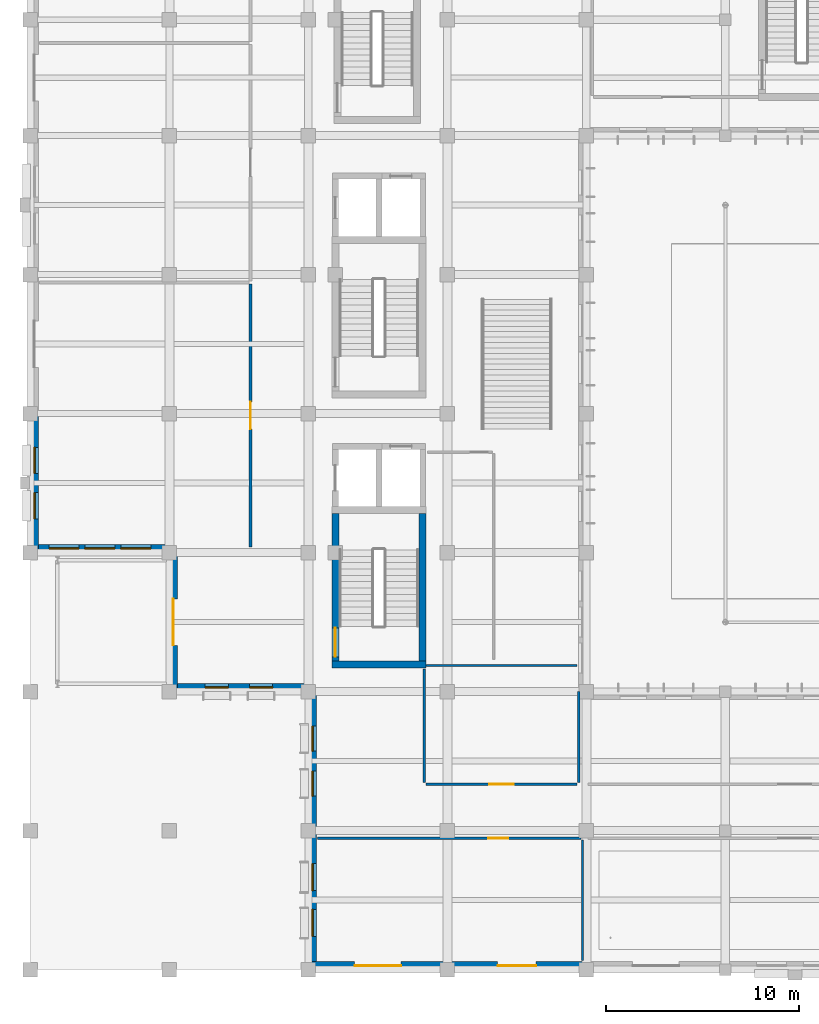
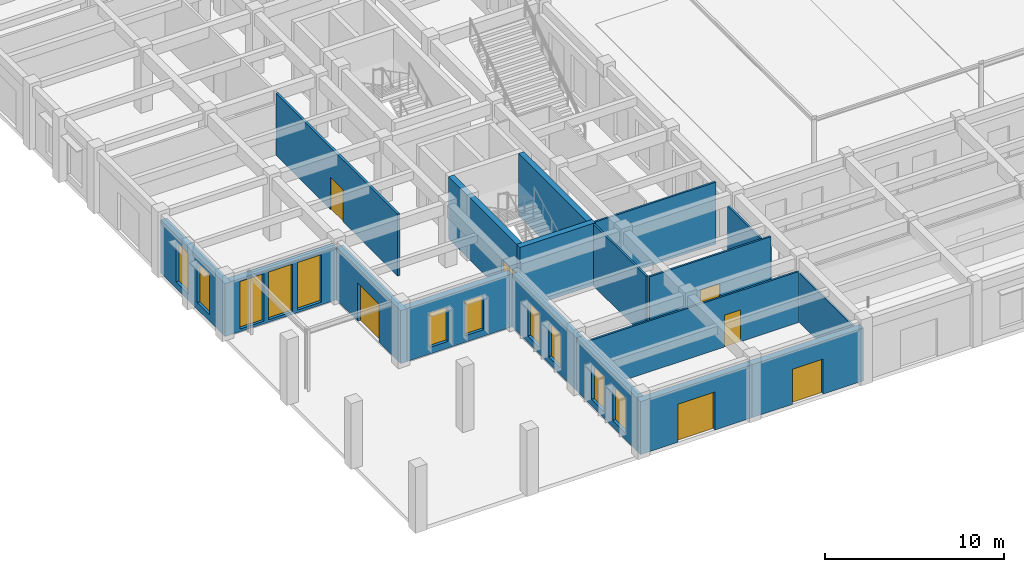
# One storey, part 21 of 43: 18 walls, 11 windows, 7 doors, 18 openings.
"""IFC4 building model written with IfcOpenShell, lengths in metres."""

import ifcopenshell
import ifcopenshell.guid

model = None  # the IFC model being written
_history = None  # IfcOwnerHistory: only IFC2X3 demands one
_inside = {}  # id of a spatial element -> (the spatial element, [elements in it])
_under = {}  # id of a project, library or spatial element -> (it, [spatial elements below it])
_declared = {}  # id of a project -> (the project, [libraries it declares])
_typed = {}  # id of a type object -> (the type object, [elements of that type])
_made_of = {}  # id of a material, layer set ... -> (it, [elements and type objects made of it])


def new_model(schema):
    """Start an empty IFC model of exactly this schema.

    Asked for "IFC4X3", IfcOpenShell would pick the latest addendum, in which some entities
    have other attributes; the version numbers below select the first issue.
    IFC2X3 requires an IfcOwnerHistory on every rooted entity: one is made here for all.
    """
    global model, _history
    if schema == "IFC4X3":
        model = ifcopenshell.file(schema_version=(4, 3, 0, 0))
    else:
        model = ifcopenshell.file(schema=schema)
    _inside.clear()
    _under.clear()
    _declared.clear()
    _typed.clear()
    _made_of.clear()
    _history = None
    if model.schema == "IFC2X3":
        org = make("IfcOrganization", Name="unknown")
        user = make(
            "IfcPersonAndOrganization",
            ThePerson=make("IfcPerson", FamilyName="unknown"),
            TheOrganization=org,
        )
        app = make(
            "IfcApplication",
            ApplicationDeveloper=org,
            Version="unknown",
            ApplicationFullName="unknown",
            ApplicationIdentifier="unknown",
        )
        _history = make(
            "IfcOwnerHistory",
            OwningUser=user,
            OwningApplication=app,
            ChangeAction="ADDED",
            CreationDate=0,
        )
    return model


def make(cls, **values):
    """One entity of the class cls with the attributes given. An attribute that is None is left unset."""
    return model.create_entity(
        cls, **{name: value for name, value in values.items() if value is not None}
    )


def rooted(cls, **values):
    """An entity with a GlobalId (a new one), such as an element, a storey or a relation."""
    return make(cls, GlobalId=ifcopenshell.guid.new(), OwnerHistory=_history, **values)


def si_unit(unit_type, name, prefix=None):
    """IfcSIUnit, for example si_unit("LENGTHUNIT", "METRE", prefix="MILLI")."""
    return make("IfcSIUnit", UnitType=unit_type, Prefix=prefix, Name=name)


def assignment(units):
    """IfcUnitAssignment: the units of a project."""
    return None if units is None else make("IfcUnitAssignment", Units=units)


def point(xyz):
    """IfcCartesianPoint."""
    return None if xyz is None else make("IfcCartesianPoint", Coordinates=xyz)


def direction(xyz):
    """IfcDirection."""
    return None if xyz is None else make("IfcDirection", DirectionRatios=xyz)


def frame(location, z_axis=None, x_axis=None):
    """IfcAxis2Placement3D, a coordinate frame: its origin and axes. An axis left out is left unset."""
    return make(
        "IfcAxis2Placement3D",
        Location=point(location),
        Axis=direction(z_axis),
        RefDirection=direction(x_axis),
    )


def frame_2d(location, x_axis=None):
    """IfcAxis2Placement2D, a coordinate frame in the plane: its origin and x axis."""
    return make(
        "IfcAxis2Placement2D", Location=point(location), RefDirection=direction(x_axis)
    )


def origin():
    """The frame at (0, 0, 0) with its axes left unset."""
    return frame((0.0, 0.0, 0.0))


def place(relative_to, where):
    """IfcLocalPlacement: puts the frame where relative to a parent placement (None: the world)."""
    return make(
        "IfcLocalPlacement", PlacementRelTo=relative_to, RelativePlacement=where
    )


def context(
    kind, dimensions, precision=None, world=None, true_north=None, identifier=None
):
    """IfcGeometricRepresentationContext, for example the 3D "Model" context."""
    return make(
        "IfcGeometricRepresentationContext",
        ContextIdentifier=identifier,
        ContextType=kind,
        CoordinateSpaceDimension=dimensions,
        Precision=precision,
        WorldCoordinateSystem=world,
        TrueNorth=true_north,
    )


def subcontext(parent, identifier, kind, view, scale=None):
    """IfcGeometricRepresentationSubContext, for example "Body" below "Model"."""
    return make(
        "IfcGeometricRepresentationSubContext",
        ContextIdentifier=identifier,
        ContextType=kind,
        ParentContext=parent,
        TargetScale=scale,
        TargetView=view,
    )


def project(units=None, contexts=None):
    """IfcProject with its units and contexts."""
    return rooted(
        "IfcProject",
        Name="project",
        RepresentationContexts=contexts,
        UnitsInContext=assignment(units),
    )


def spatial(cls, under=None, at=None, **own):
    """A site, building, storey or space (cls), placed at a placement, below another one or the project."""
    s = rooted(cls, ObjectPlacement=at, **own)
    if under is not None:
        _under.setdefault(under.id(), (under, []))[1].append(s)
    return s


def profile(cls, at=None, kind="AREA", **sizes):
    """A parametric profile (cls). Its sizes go by their IFC names, for example OverallWidth=200.0."""
    return make(cls, ProfileType=kind, Position=at, **sizes)


def rectangle(**sizes):
    """IfcRectangleProfileDef."""
    return profile("IfcRectangleProfileDef", **sizes)


def extrude(swept, where, along, depth):
    """IfcExtrudedAreaSolid: the profile swept, set in the frame where, extruded along a direction by depth."""
    return make(
        "IfcExtrudedAreaSolid",
        SweptArea=swept,
        Position=where,
        ExtrudedDirection=direction(along),
        Depth=depth,
    )


def shape(context_of_items, identifier, shape_type, items):
    """IfcShapeRepresentation: the items that make up one representation, for example the "Body"."""
    return make(
        "IfcShapeRepresentation",
        ContextOfItems=context_of_items,
        RepresentationIdentifier=identifier,
        RepresentationType=shape_type,
        Items=items,
    )


def material(Name=None, Category=None):
    """IfcMaterial."""
    return make("IfcMaterial", Name=Name, Category=Category)


def layer(
    of_material, thickness, ventilated=None, Name=None, Category=None, Priority=None
):
    """IfcMaterialLayer: one layer of a wall or slab, of a material (None: an air gap)."""
    return make(
        "IfcMaterialLayer",
        Material=of_material,
        LayerThickness=thickness,
        IsVentilated=ventilated,
        Name=Name,
        Category=Category,
        Priority=Priority,
    )


def layer_set(layers, Name=None):
    """IfcMaterialLayerSet."""
    return make("IfcMaterialLayerSet", MaterialLayers=layers, LayerSetName=Name)


def made_of(thing, what):
    """Note that an element or type object is made of a material, layer set ...; save() writes the relation."""
    if what is not None:
        _made_of.setdefault(what.id(), (what, []))[1].append(thing)
    return thing


def type_object(cls, material=None, **own):
    """A type object (cls), such as IfcWallType, which elements share."""
    return made_of(rooted(cls, **own), material)


def element(
    cls,
    number,
    at=None,
    inside=None,
    cuts=None,
    type_object=None,
    material=None,
    context=None,
    identifier="Body",
    shape_type=None,
    held_by="IfcProductDefinitionShape",
    body=None,
    shapes=None,
    **own,
):
    """One element of the class cls, such as IfcWall. Its Tag is "e" and its number.

    at: its placement. inside: the storey or other place that contains it. cuts: it is an
    opening in that element (IfcRelVoidsElement). A single representation is given by context,
    identifier, shape_type and body (its items); several are given by shapes. held_by: the class
    of the entity that holds the representations. save() writes the other relations.
    """
    e = rooted(cls, Tag="e%d" % number, ObjectPlacement=at, **own)
    if body is not None:
        shapes = [shape(context, identifier, shape_type, body)]
    if shapes is not None:
        e.Representation = make(held_by, Representations=shapes)
    if inside is not None:
        _inside.setdefault(inside.id(), (inside, []))[1].append(e)
    if cuts is not None:
        rooted(
            "IfcRelVoidsElement", RelatingBuildingElement=cuts, RelatedOpeningElement=e
        )
    if type_object is not None:
        _typed.setdefault(type_object.id(), (type_object, []))[1].append(e)
    return made_of(e, material)


def fill(opening, filler):
    """IfcRelFillsElement: the door or window that sits in an opening."""
    return rooted(
        "IfcRelFillsElement",
        RelatingOpeningElement=opening,
        RelatedBuildingElement=filler,
    )


def aggregate(whole, parts):
    """IfcRelAggregates: a whole, such as a stair, and the parts it consists of."""
    return rooted("IfcRelAggregates", RelatingObject=whole, RelatedObjects=parts)


def save(model, path):
    """Write the relations noted so far, then the file.

    IfcRelAggregates (storeys below a building ...), IfcRelContainedInSpatialStructure (elements
    in a storey), IfcRelDefinesByType, IfcRelAssociatesMaterial and IfcRelDeclares: one each for
    every whole, place, type object, material and project.
    """
    for whole, parts in _under.values():
        aggregate(whole, parts)
    for where, things in _inside.values():
        rooted(
            "IfcRelContainedInSpatialStructure",
            RelatedElements=things,
            RelatingStructure=where,
        )
    for kind, things in _typed.values():
        rooted("IfcRelDefinesByType", RelatedObjects=things, RelatingType=kind)
    for what, things in _made_of.values():
        rooted("IfcRelAssociatesMaterial", RelatedObjects=things, RelatingMaterial=what)
    for by, libraries in _declared.values():
        rooted("IfcRelDeclares", RelatingContext=by, RelatedDefinitions=libraries)
    model.write(path)


model = new_model("IFC4")

# Units and contexts
model_context = context("Model", 3, precision=1e-05, world=origin(), true_north=direction((0.0, 1.0)))
body_context = subcontext(model_context, "Body", "Model", "MODEL_VIEW")
ifc_project = project(units=[si_unit("LENGTHUNIT", "METRE"), si_unit("AREAUNIT", "SQUARE_METRE"), si_unit("VOLUMEUNIT", "CUBIC_METRE"), si_unit("PLANEANGLEUNIT", "RADIAN"), si_unit("MASSUNIT", "GRAM", prefix="KILO")], contexts=[model_context])

# Site, building, storey
site_placement = place(None, origin())
site = spatial("IfcSite", under=ifc_project, at=site_placement, CompositionType="ELEMENT")
building_placement = place(site_placement, origin())
building = spatial("IfcBuilding", under=site, at=building_placement, Name="Alvorim Cloister Faculty of Sciences", CompositionType="ELEMENT")
storey_placement = place(building_placement, origin())
storey = spatial("IfcBuildingStorey", under=building, at=storey_placement, Name="L00", CompositionType="ELEMENT", Elevation=0.0)

# Wall, opening, door
ifc_material_1 = material(Name="Maua Grey Granite Stone", Category="masonry")
ifc_layer_1 = layer(ifc_material_1, 0.419921875)
ifc_layer_set_1 = layer_set([ifc_layer_1], Name="Maua Grey Granite Stone")
wall_type_1 = type_object("IfcWallType", Name="WL-EXT-GRN-420", PredefinedType="SOLIDWALL", material=ifc_layer_set_1)
wall_1_placement = place(storey_placement, frame((21.60009765625, 0.2099609375, 0.0), z_axis=(0.0, 0.0, 1.0), x_axis=(1.0, 0.0, 0.0)))
wall_1 = element("IfcWall", 1, at=wall_1_placement, inside=storey, type_object=wall_type_1, Name="L00 Exterior Wall WL-0024", PredefinedType="SOLIDWALL", context=body_context, shape_type="SweptSolid", body=[
    extrude(rectangle(XDim=7.199951171875, YDim=0.419921875, at=frame_2d((3.60009765625, 0.0))), origin(), (0.0, 0.0, 1.0), 3.6201171875),
])
opening_1_placement = place(wall_1_placement, frame((2.60009765625, 0.0, 0.0)))
opening_1 = element("IfcOpeningElement", 2, at=opening_1_placement, cuts=wall_1, Name="Opening ED-11", PredefinedType="OPENING", context=body_context, shape_type="SweptSolid", body=[
    extrude(rectangle(XDim=2.0, YDim=2.39990234375, at=frame_2d((1.0, 1.199951171875))), frame((0.0, 0.221923828125, 0.0), z_axis=(0.0, -1.0, 0.0), x_axis=(1.0, 0.0, 0.0)), (0.0, 0.0, 1.0), 0.44384765625),
])
ifc_material_2 = material(Name="Aluminium Alloy 6063-T6", Category="aluminium")
door_type_1 = type_object("IfcDoorType", Name="DR-EXIT-2000x2400", OperationType="NOTDEFINED", PredefinedType="DOOR", material=ifc_material_2)
door_1_placement = place(opening_1_placement, origin())
door_1 = element("IfcDoor", 3, at=door_1_placement, inside=storey, type_object=door_type_1, Name="Ground South Colonnade Exit ED-11", OperationType="DOUBLE_DOOR_SINGLE_SWING", OverallHeight=2.39990234375, OverallWidth=2.0, PredefinedType="DOOR", context=body_context, shape_type="SweptSolid", body=[
    extrude(rectangle(XDim=2.0, YDim=2.39990234375, at=frame_2d((1.0, 1.199951171875))), frame((0.0, 0.02490234375, 0.0), z_axis=(0.0, -1.0, 0.0), x_axis=(1.0, 0.0, 0.0)), (0.0, 0.0, 1.0), 0.050048828125),
])
fill(opening_1, door_1)

wall_2_placement = place(storey_placement, frame((14.39990234375, 0.2099609375, 0.0), z_axis=(0.0, 0.0, 1.0), x_axis=(1.0, 0.0, 0.0)))
wall_2 = element("IfcWall", 4, at=wall_2_placement, inside=storey, type_object=wall_type_1, Name="L00 Exterior Wall WL-0025", PredefinedType="SOLIDWALL", context=body_context, shape_type="SweptSolid", body=[
    extrude(rectangle(XDim=7.2001953125, YDim=0.419921875, at=frame_2d((3.60009765625, 0.0))), origin(), (0.0, 0.0, 1.0), 3.6201171875),
])
opening_2_placement = place(wall_2_placement, frame((2.39990234375, 0.0, 0.0)))
opening_2 = element("IfcOpeningElement", 5, at=opening_2_placement, cuts=wall_2, Name="Opening ED-15", PredefinedType="OPENING", context=body_context, shape_type="SweptSolid", body=[
    extrude(rectangle(XDim=2.39990234375, YDim=2.60009765625, at=frame_2d((1.199951171875, 1.300048828125))), frame((0.0, 0.221923828125, 0.0), z_axis=(0.0, -1.0, 0.0), x_axis=(1.0, 0.0, 0.0)), (0.0, 0.0, 1.0), 0.44384765625),
])
door_type_2 = type_object("IfcDoorType", Name="DR-EXIT-2400x2600", OperationType="NOTDEFINED", PredefinedType="DOOR", material=ifc_material_2)
door_2_placement = place(opening_2_placement, origin())
door_2 = element("IfcDoor", 6, at=door_2_placement, inside=storey, type_object=door_type_2, Name="Ground Colonnade West Portal ED-15", OperationType="DOUBLE_DOOR_SINGLE_SWING", OverallHeight=2.60009765625, OverallWidth=2.39990234375, PredefinedType="DOOR", context=body_context, shape_type="SweptSolid", body=[
    extrude(rectangle(XDim=2.39990234375, YDim=2.60009765625, at=frame_2d((1.199951171875, 1.300048828125))), frame((0.0, 0.02490234375, 0.0), z_axis=(0.0, -1.0, 0.0), x_axis=(1.0, 0.0, 0.0)), (0.0, 0.0, 1.0), 0.050048828125),
])
fill(opening_2, door_2)

# Wall, openings, windows
wall_3_placement = place(storey_placement, frame((14.610107421875, 0.0, 0.0), z_axis=(0.0, 0.0, 1.0), x_axis=(0.0, 1.0, 0.0)))
wall_3 = element("IfcWall", 7, at=wall_3_placement, inside=storey, type_object=wall_type_1, Name="L00 Exterior Wall WL-0026", PredefinedType="SOLIDWALL", context=body_context, shape_type="SweptSolid", body=[
    extrude(rectangle(XDim=7.199951171875, YDim=0.419921875, at=frame_2d((3.60009765625, 0.0))), origin(), (0.0, 0.0, 1.0), 3.6201171875),
])
opening_3_placement = place(wall_3_placement, frame((1.716796875, 0.0, 0.449951171875)))
opening_3 = element("IfcOpeningElement", 8, at=opening_3_placement, cuts=wall_3, Name="Opening W-20", PredefinedType="OPENING", context=body_context, shape_type="SweptSolid", body=[
    extrude(rectangle(XDim=1.39990234375, YDim=2.3798828125, at=frame_2d((0.699951171875, 1.18994140625))), frame((0.0, 0.221923828125, 0.0), z_axis=(0.0, -1.0, 0.0), x_axis=(1.0, 0.0, 0.0)), (0.0, 0.0, 1.0), 0.44384765625),
])
opening_4_placement = place(wall_3_placement, frame((4.083251953125, 0.0, 0.449951171875)))
opening_4 = element("IfcOpeningElement", 9, at=opening_4_placement, cuts=wall_3, Name="Opening W-20", PredefinedType="OPENING", context=body_context, shape_type="SweptSolid", body=[
    extrude(rectangle(XDim=1.39990234375, YDim=2.3798828125, at=frame_2d((0.699951171875, 1.18994140625))), frame((0.0, 0.221923828125, 0.0), z_axis=(0.0, -1.0, 0.0), x_axis=(1.0, 0.0, 0.0)), (0.0, 0.0, 1.0), 0.44384765625),
])
ifc_material_3 = material(Name="Double Low-E Laminated Glass", Category="glass")
window_type_1 = type_object("IfcWindowType", Name="WN-OFF-1400x2380", PartitioningType="SINGLE_PANEL", PredefinedType="WINDOW", material=ifc_material_3)
window_1_placement = place(opening_3_placement, origin())
window_1 = element("IfcWindow", 10, at=window_1_placement, inside=storey, type_object=window_type_1, Name="L00 Gothic Lancet Window WN-0011", OverallHeight=2.3798828125, OverallWidth=1.39990234375, PartitioningType="SINGLE_PANEL", PredefinedType="WINDOW", context=body_context, shape_type="SweptSolid", body=[
    extrude(rectangle(XDim=1.39990234375, YDim=2.3798828125, at=frame_2d((0.699951171875, 1.18994140625))), frame((0.0, 0.030029296875, 0.0), z_axis=(0.0, -1.0, 0.0), x_axis=(1.0, 0.0, 0.0)), (0.0, 0.0, 1.0), 0.06005859375),
])
fill(opening_3, window_1)
window_2_placement = place(opening_4_placement, origin())
window_2 = element("IfcWindow", 11, at=window_2_placement, inside=storey, type_object=window_type_1, Name="L00 Gothic Lancet Window WN-0012", OverallHeight=2.3798828125, OverallWidth=1.39990234375, PartitioningType="SINGLE_PANEL", PredefinedType="WINDOW", context=body_context, shape_type="SweptSolid", body=[
    extrude(rectangle(XDim=1.39990234375, YDim=2.3798828125, at=frame_2d((0.699951171875, 1.18994140625))), frame((0.0, 0.030029296875, 0.0), z_axis=(0.0, -1.0, 0.0), x_axis=(1.0, 0.0, 0.0)), (0.0, 0.0, 1.0), 0.06005859375),
])
fill(opening_4, window_2)

wall_4_placement = place(storey_placement, frame((14.610107421875, 7.199951171875, 0.0), z_axis=(0.0, 0.0, 1.0), x_axis=(0.0, 1.0, 0.0)))
wall_4 = element("IfcWall", 12, at=wall_4_placement, inside=storey, type_object=wall_type_1, Name="L00 Exterior Wall WL-0027", PredefinedType="SOLIDWALL", context=body_context, shape_type="SweptSolid", body=[
    extrude(rectangle(XDim=7.199951171875, YDim=0.419921875, at=frame_2d((3.60009765625, 0.0))), origin(), (0.0, 0.0, 1.0), 3.6201171875),
])
opening_5_placement = place(wall_4_placement, frame((1.783203125, 0.0, 0.449951171875)))
opening_5 = element("IfcOpeningElement", 13, at=opening_5_placement, cuts=wall_4, Name="Opening W-21", PredefinedType="OPENING", context=body_context, shape_type="SweptSolid", body=[
    extrude(rectangle(XDim=1.300048828125, YDim=2.35009765625, at=frame_2d((0.64990234375, 1.175048828125))), frame((0.0, 0.221923828125, 0.0), z_axis=(0.0, -1.0, 0.0), x_axis=(1.0, 0.0, 0.0)), (0.0, 0.0, 1.0), 0.44384765625),
])
opening_6_placement = place(wall_4_placement, frame((4.11669921875, 0.0, 0.449951171875)))
opening_6 = element("IfcOpeningElement", 14, at=opening_6_placement, cuts=wall_4, Name="Opening W-21", PredefinedType="OPENING", context=body_context, shape_type="SweptSolid", body=[
    extrude(rectangle(XDim=1.300048828125, YDim=2.35009765625, at=frame_2d((0.64990234375, 1.175048828125))), frame((0.0, 0.221923828125, 0.0), z_axis=(0.0, -1.0, 0.0), x_axis=(1.0, 0.0, 0.0)), (0.0, 0.0, 1.0), 0.44384765625),
])
window_type_2 = type_object("IfcWindowType", Name="WN-OFF-1300x2350", PartitioningType="SINGLE_PANEL", PredefinedType="WINDOW", material=ifc_material_3)
window_3_placement = place(opening_5_placement, origin())
window_3 = element("IfcWindow", 15, at=window_3_placement, inside=storey, type_object=window_type_2, Name="L00 Gothic Lancet Window WN-0013", OverallHeight=2.35009765625, OverallWidth=1.300048828125, PartitioningType="SINGLE_PANEL", PredefinedType="WINDOW", context=body_context, shape_type="SweptSolid", body=[
    extrude(rectangle(XDim=1.300048828125, YDim=2.35009765625, at=frame_2d((0.64990234375, 1.175048828125))), frame((0.0, 0.030029296875, 0.0), z_axis=(0.0, -1.0, 0.0), x_axis=(1.0, 0.0, 0.0)), (0.0, 0.0, 1.0), 0.06005859375),
])
fill(opening_5, window_3)
window_4_placement = place(opening_6_placement, origin())
window_4 = element("IfcWindow", 16, at=window_4_placement, inside=storey, type_object=window_type_2, Name="L00 Gothic Lancet Window WN-0014", OverallHeight=2.35009765625, OverallWidth=1.300048828125, PartitioningType="SINGLE_PANEL", PredefinedType="WINDOW", context=body_context, shape_type="SweptSolid", body=[
    extrude(rectangle(XDim=1.300048828125, YDim=2.35009765625, at=frame_2d((0.64990234375, 1.175048828125))), frame((0.0, 0.030029296875, 0.0), z_axis=(0.0, -1.0, 0.0), x_axis=(1.0, 0.0, 0.0)), (0.0, 0.0, 1.0), 0.06005859375),
])
fill(opening_6, window_4)

wall_5_placement = place(storey_placement, frame((7.199951171875, 14.610107421875, 0.0), z_axis=(0.0, 0.0, 1.0), x_axis=(1.0, 0.0, 0.0)))
wall_5 = element("IfcWall", 17, at=wall_5_placement, inside=storey, type_object=wall_type_1, Name="L00 Exterior Wall WL-0028", PredefinedType="SOLIDWALL", context=body_context, shape_type="SweptSolid", body=[
    extrude(rectangle(XDim=7.199951171875, YDim=0.419921875, at=frame_2d((3.60009765625, 0.0))), origin(), (0.0, 0.0, 1.0), 3.6201171875),
])
opening_7_placement = place(wall_5_placement, frame((1.85009765625, 0.0, 0.449951171875)))
opening_7 = element("IfcOpeningElement", 18, at=opening_7_placement, cuts=wall_5, Name="Opening W-22", PredefinedType="OPENING", context=body_context, shape_type="SweptSolid", body=[
    extrude(rectangle(XDim=1.199951171875, YDim=2.35009765625, at=frame_2d((0.60009765625, 1.175048828125))), frame((0.0, 0.221923828125, 0.0), z_axis=(0.0, -1.0, 0.0), x_axis=(1.0, 0.0, 0.0)), (0.0, 0.0, 1.0), 0.44384765625),
])
opening_8_placement = place(wall_5_placement, frame((4.14990234375, 0.0, 0.449951171875)))
opening_8 = element("IfcOpeningElement", 19, at=opening_8_placement, cuts=wall_5, Name="Opening W-22", PredefinedType="OPENING", context=body_context, shape_type="SweptSolid", body=[
    extrude(rectangle(XDim=1.199951171875, YDim=2.35009765625, at=frame_2d((0.60009765625, 1.175048828125))), frame((0.0, 0.221923828125, 0.0), z_axis=(0.0, -1.0, 0.0), x_axis=(1.0, 0.0, 0.0)), (0.0, 0.0, 1.0), 0.44384765625),
])
window_type_3 = type_object("IfcWindowType", Name="WN-OFF-1200x2350", PartitioningType="SINGLE_PANEL", PredefinedType="WINDOW", material=ifc_material_3)
window_5_placement = place(opening_7_placement, origin())
window_5 = element("IfcWindow", 20, at=window_5_placement, inside=storey, type_object=window_type_3, Name="L00 Gothic Lancet Window WN-0015", OverallHeight=2.35009765625, OverallWidth=1.199951171875, PartitioningType="SINGLE_PANEL", PredefinedType="WINDOW", context=body_context, shape_type="SweptSolid", body=[
    extrude(rectangle(XDim=1.199951171875, YDim=2.35009765625, at=frame_2d((0.60009765625, 1.175048828125))), frame((0.0, 0.030029296875, 0.0), z_axis=(0.0, -1.0, 0.0), x_axis=(1.0, 0.0, 0.0)), (0.0, 0.0, 1.0), 0.06005859375),
])
fill(opening_7, window_5)
window_6_placement = place(opening_8_placement, origin())
window_6 = element("IfcWindow", 21, at=window_6_placement, inside=storey, type_object=window_type_3, Name="L00 Gothic Lancet Window WN-0016", OverallHeight=2.35009765625, OverallWidth=1.199951171875, PartitioningType="SINGLE_PANEL", PredefinedType="WINDOW", context=body_context, shape_type="SweptSolid", body=[
    extrude(rectangle(XDim=1.199951171875, YDim=2.35009765625, at=frame_2d((0.60009765625, 1.175048828125))), frame((0.0, 0.030029296875, 0.0), z_axis=(0.0, -1.0, 0.0), x_axis=(1.0, 0.0, 0.0)), (0.0, 0.0, 1.0), 0.06005859375),
])
fill(opening_8, window_6)

# Wall, opening, door
wall_6_placement = place(storey_placement, frame((7.409912109375, 14.39990234375, 0.0), z_axis=(0.0, 0.0, 1.0), x_axis=(0.0, 1.0, 0.0)))
wall_6 = element("IfcWall", 22, at=wall_6_placement, inside=storey, type_object=wall_type_1, Name="L00 Exterior Wall WL-0029", PredefinedType="SOLIDWALL", context=body_context, shape_type="SweptSolid", body=[
    extrude(rectangle(XDim=7.2001953125, YDim=0.419921875, at=frame_2d((3.60009765625, 0.0))), origin(), (0.0, 0.0, 1.0), 3.6201171875),
])
opening_9_placement = place(wall_6_placement, frame((2.39990234375, 0.0, 0.0)))
opening_9 = element("IfcOpeningElement", 23, at=opening_9_placement, cuts=wall_6, Name="Opening ED-01", PredefinedType="OPENING", context=body_context, shape_type="SweptSolid", body=[
    extrude(rectangle(XDim=2.39990234375, YDim=2.60009765625, at=frame_2d((1.199951171875, 1.300048828125))), frame((0.0, 0.221923828125, 0.0), z_axis=(0.0, -1.0, 0.0), x_axis=(1.0, 0.0, 0.0)), (0.0, 0.0, 1.0), 0.44384765625),
])
door_3_placement = place(opening_9_placement, origin())
door_3 = element("IfcDoor", 24, at=door_3_placement, inside=storey, type_object=door_type_2, Name="Main Entrance Atrium Portal ED-01", OperationType="DOUBLE_DOOR_SINGLE_SWING", OverallHeight=2.60009765625, OverallWidth=2.39990234375, PredefinedType="DOOR", context=body_context, shape_type="SweptSolid", body=[
    extrude(rectangle(XDim=2.39990234375, YDim=2.60009765625, at=frame_2d((1.199951171875, 1.300048828125))), frame((0.0, 0.02490234375, 0.0), z_axis=(0.0, -1.0, 0.0), x_axis=(1.0, 0.0, 0.0)), (0.0, 0.0, 1.0), 0.050048828125),
])
fill(opening_9, door_3)

# Wall, openings, windows
wall_7_placement = place(storey_placement, frame((0.0, 21.81005859375, 0.0), z_axis=(0.0, 0.0, 1.0), x_axis=(1.0, 0.0, 0.0)))
wall_7 = element("IfcWall", 25, at=wall_7_placement, inside=storey, type_object=wall_type_1, Name="L00 Exterior Wall WL-0030", PredefinedType="SOLIDWALL", context=body_context, shape_type="SweptSolid", body=[
    extrude(rectangle(XDim=7.199951171875, YDim=0.419921875, at=frame_2d((3.60009765625, 0.0))), origin(), (0.0, 0.0, 1.0), 3.6201171875),
])
opening_10_placement = place(wall_7_placement, frame((0.96240234375, 0.0, 0.179931640625)))
opening_10 = element("IfcOpeningElement", 26, at=opening_10_placement, cuts=wall_7, Name="Opening W-01", PredefinedType="OPENING", context=body_context, shape_type="SweptSolid", body=[
    extrude(rectangle(XDim=1.550048828125, YDim=3.25, at=frame_2d((0.77490234375, 1.625))), frame((0.0, 0.221923828125, 0.0), z_axis=(0.0, -1.0, 0.0), x_axis=(1.0, 0.0, 0.0)), (0.0, 0.0, 1.0), 0.44384765625),
])
opening_11_placement = place(wall_7_placement, frame((2.824951171875, 0.0, 0.179931640625)))
opening_11 = element("IfcOpeningElement", 27, at=opening_11_placement, cuts=wall_7, Name="Opening W-01", PredefinedType="OPENING", context=body_context, shape_type="SweptSolid", body=[
    extrude(rectangle(XDim=1.550048828125, YDim=3.25, at=frame_2d((0.77490234375, 1.625))), frame((0.0, 0.221923828125, 0.0), z_axis=(0.0, -1.0, 0.0), x_axis=(1.0, 0.0, 0.0)), (0.0, 0.0, 1.0), 0.44384765625),
])
opening_12_placement = place(wall_7_placement, frame((4.6875, 0.0, 0.179931640625)))
opening_12 = element("IfcOpeningElement", 28, at=opening_12_placement, cuts=wall_7, Name="Opening W-01", PredefinedType="OPENING", context=body_context, shape_type="SweptSolid", body=[
    extrude(rectangle(XDim=1.550048828125, YDim=3.25, at=frame_2d((0.77490234375, 1.625))), frame((0.0, 0.221923828125, 0.0), z_axis=(0.0, -1.0, 0.0), x_axis=(1.0, 0.0, 0.0)), (0.0, 0.0, 1.0), 0.44384765625),
])
window_type_4 = type_object("IfcWindowType", Name="WN-LAN-1550x3250", PartitioningType="SINGLE_PANEL", PredefinedType="WINDOW", material=ifc_material_3)
window_7_placement = place(opening_10_placement, origin())
window_7 = element("IfcWindow", 29, at=window_7_placement, inside=storey, type_object=window_type_4, Name="L00 Full-Height Entrance Atrium Glazed Bay WN-0017", OverallHeight=3.25, OverallWidth=1.550048828125, PartitioningType="SINGLE_PANEL", PredefinedType="WINDOW", context=body_context, shape_type="SweptSolid", body=[
    extrude(rectangle(XDim=1.550048828125, YDim=3.25, at=frame_2d((0.77490234375, 1.625))), frame((0.0, 0.030029296875, 0.0), z_axis=(0.0, -1.0, 0.0), x_axis=(1.0, 0.0, 0.0)), (0.0, 0.0, 1.0), 0.06005859375),
])
fill(opening_10, window_7)
window_8_placement = place(opening_11_placement, origin())
window_8 = element("IfcWindow", 30, at=window_8_placement, inside=storey, type_object=window_type_4, Name="L00 Full-Height Entrance Atrium Glazed Bay WN-0018", OverallHeight=3.25, OverallWidth=1.550048828125, PartitioningType="SINGLE_PANEL", PredefinedType="WINDOW", context=body_context, shape_type="SweptSolid", body=[
    extrude(rectangle(XDim=1.550048828125, YDim=3.25, at=frame_2d((0.77490234375, 1.625))), frame((0.0, 0.030029296875, 0.0), z_axis=(0.0, -1.0, 0.0), x_axis=(1.0, 0.0, 0.0)), (0.0, 0.0, 1.0), 0.06005859375),
])
fill(opening_11, window_8)
window_9_placement = place(opening_12_placement, origin())
window_9 = element("IfcWindow", 31, at=window_9_placement, inside=storey, type_object=window_type_4, Name="L00 Full-Height Entrance Atrium Glazed Bay WN-0019", OverallHeight=3.25, OverallWidth=1.550048828125, PartitioningType="SINGLE_PANEL", PredefinedType="WINDOW", context=body_context, shape_type="SweptSolid", body=[
    extrude(rectangle(XDim=1.550048828125, YDim=3.25, at=frame_2d((0.77490234375, 1.625))), frame((0.0, 0.030029296875, 0.0), z_axis=(0.0, -1.0, 0.0), x_axis=(1.0, 0.0, 0.0)), (0.0, 0.0, 1.0), 0.06005859375),
])
fill(opening_12, window_9)

wall_8_placement = place(storey_placement, frame((0.2099609375, 21.60009765625, 0.0), z_axis=(0.0, 0.0, 1.0), x_axis=(0.0, 1.0, 0.0)))
wall_8 = element("IfcWall", 32, at=wall_8_placement, inside=storey, type_object=wall_type_1, Name="L00 Exterior Wall WL-0031", PredefinedType="SOLIDWALL", context=body_context, shape_type="SweptSolid", body=[
    extrude(rectangle(XDim=7.199951171875, YDim=0.419921875, at=frame_2d((3.60009765625, 0.0))), origin(), (0.0, 0.0, 1.0), 3.6201171875),
])
opening_13_placement = place(wall_8_placement, frame((1.75, 0.0, 0.449951171875)))
opening_13 = element("IfcOpeningElement", 33, at=opening_13_placement, cuts=wall_8, Name="Opening W-09", PredefinedType="OPENING", context=body_context, shape_type="SweptSolid", body=[
    extrude(rectangle(XDim=1.35009765625, YDim=2.75, at=frame_2d((0.675048828125, 1.375))), frame((0.0, 0.221923828125, 0.0), z_axis=(0.0, -1.0, 0.0), x_axis=(1.0, 0.0, 0.0)), (0.0, 0.0, 1.0), 0.44384765625),
])
opening_14_placement = place(wall_8_placement, frame((4.10009765625, 0.0, 0.449951171875)))
opening_14 = element("IfcOpeningElement", 34, at=opening_14_placement, cuts=wall_8, Name="Opening W-09", PredefinedType="OPENING", context=body_context, shape_type="SweptSolid", body=[
    extrude(rectangle(XDim=1.35009765625, YDim=2.75, at=frame_2d((0.675048828125, 1.375))), frame((0.0, 0.221923828125, 0.0), z_axis=(0.0, -1.0, 0.0), x_axis=(1.0, 0.0, 0.0)), (0.0, 0.0, 1.0), 0.44384765625),
])
window_type_5 = type_object("IfcWindowType", Name="WN-LAN-1350x2750", PartitioningType="SINGLE_PANEL", PredefinedType="WINDOW", material=ifc_material_3)
window_10_placement = place(opening_13_placement, origin())
window_10 = element("IfcWindow", 35, at=window_10_placement, inside=storey, type_object=window_type_5, Name="L00 Gothic Lancet Window WN-0020", OverallHeight=2.75, OverallWidth=1.35009765625, PartitioningType="SINGLE_PANEL", PredefinedType="WINDOW", context=body_context, shape_type="SweptSolid", body=[
    extrude(rectangle(XDim=1.35009765625, YDim=2.75, at=frame_2d((0.675048828125, 1.375))), frame((0.0, 0.030029296875, 0.0), z_axis=(0.0, -1.0, 0.0), x_axis=(1.0, 0.0, 0.0)), (0.0, 0.0, 1.0), 0.06005859375),
])
fill(opening_13, window_10)
window_11_placement = place(opening_14_placement, origin())
window_11 = element("IfcWindow", 36, at=window_11_placement, inside=storey, type_object=window_type_5, Name="L00 Gothic Lancet Window WN-0021", OverallHeight=2.75, OverallWidth=1.35009765625, PartitioningType="SINGLE_PANEL", PredefinedType="WINDOW", context=body_context, shape_type="SweptSolid", body=[
    extrude(rectangle(XDim=1.35009765625, YDim=2.75, at=frame_2d((0.675048828125, 1.375))), frame((0.0, 0.030029296875, 0.0), z_axis=(0.0, -1.0, 0.0), x_axis=(1.0, 0.0, 0.0)), (0.0, 0.0, 1.0), 0.06005859375),
])
fill(opening_14, window_11)

# Wall
ifc_material_4 = material(Name="Acoustic Gypsum Stud Partition", Category="gypsum")
ifc_layer_2 = layer(ifc_material_4, 0.1201171875)
ifc_layer_set_2 = layer_set([ifc_layer_2], Name="Acoustic Gypsum Stud Partition")
wall_type_2 = type_object("IfcWallType", Name="WL-PRT-120", PredefinedType="PARTITIONING", material=ifc_layer_set_2)
wall_9_placement = place(storey_placement, frame((28.60009765625, 0.47998046875, 0.0), z_axis=(0.0, 0.0, 1.0), x_axis=(0.0, 1.0, 0.0)))
element("IfcWall", 37, at=wall_9_placement, inside=storey, type_object=wall_type_2, Name="L00 Student Academic Services and Registry Partition IWL-0454", PredefinedType="PARTITIONING", context=body_context, shape_type="SweptSolid", body=[
    extrude(rectangle(XDim=6.239990234375, YDim=0.1201171875, at=frame_2d((3.1201171875, 0.0))), origin(), (0.0, 0.0, 1.0), 3.385009765625),
])

# Wall, opening, door
wall_10_placement = place(storey_placement, frame((14.8798828125, 6.800048828125, 0.0), z_axis=(0.0, 0.0, 1.0), x_axis=(1.0, 0.0, 0.0)))
wall_10 = element("IfcWall", 38, at=wall_10_placement, inside=storey, type_object=wall_type_2, Name="L00 Student Academic Services and Registry Partition IWL-0455", PredefinedType="PARTITIONING", context=body_context, shape_type="SweptSolid", body=[
    extrude(rectangle(XDim=13.64013671875, YDim=0.1201171875, at=frame_2d((6.820068359375, 0.0))), origin(), (0.0, 0.0, 1.0), 3.485107421875),
])
opening_15_placement = place(wall_10_placement, frame((8.826171875, 0.0, 0.0)))
opening_15 = element("IfcOpeningElement", 39, at=opening_15_placement, cuts=wall_10, Name="Opening D-L00-079", PredefinedType="OPENING", context=body_context, shape_type="SweptSolid", body=[
    extrude(rectangle(XDim=1.050048828125, YDim=2.179931640625, at=frame_2d((0.52490234375, 1.08984375))), frame((0.0, 0.072021484375, 0.0), z_axis=(0.0, -1.0, 0.0), x_axis=(1.0, 0.0, 0.0)), (0.0, 0.0, 1.0), 0.14404296875),
])
ifc_material_5 = material(Name="Solid Acoustic Oak Timber", Category="wood")
door_type_3 = type_object("IfcDoorType", Name="DR-OFF-1050x2180", OperationType="NOTDEFINED", PredefinedType="DOOR", material=ifc_material_5)
door_4_placement = place(opening_15_placement, origin())
door_4 = element("IfcDoor", 40, at=door_4_placement, inside=storey, type_object=door_type_3, Name="Student Academic Services and Registry Door D-L00-079", OperationType="SINGLE_SWING_RIGHT", OverallHeight=2.179931640625, OverallWidth=1.050048828125, PredefinedType="DOOR", context=body_context, shape_type="SweptSolid", body=[
    extrude(rectangle(XDim=1.050048828125, YDim=2.179931640625, at=frame_2d((0.52490234375, 1.08984375))), frame((0.0, 0.02490234375, 0.0), z_axis=(0.0, -1.0, 0.0), x_axis=(1.0, 0.0, 0.0)), (0.0, 0.0, 1.0), 0.050048828125),
])
fill(opening_15, door_4)

# Wall
wall_11_placement = place(storey_placement, frame((20.39990234375, 9.679931640625, 0.0), z_axis=(0.0, 0.0, 1.0), x_axis=(0.0, 1.0, 0.0)))
element("IfcWall", 41, at=wall_11_placement, inside=storey, type_object=wall_type_2, Name="L00 Cloister Colloquium Lounge Partition IWL-0456", PredefinedType="PARTITIONING", context=body_context, shape_type="SweptSolid", body=[
    extrude(rectangle(XDim=5.900146484375, YDim=0.1201171875, at=frame_2d((2.9501953125, 0.0))), origin(), (0.0, 0.0, 1.0), 4.235107421875),
])

# Wall, opening, door
wall_12_placement = place(storey_placement, frame((20.47998046875, 9.60009765625, 0.0), z_axis=(0.0, 0.0, 1.0), x_axis=(1.0, 0.0, 0.0)))
wall_12 = element("IfcWall", 42, at=wall_12_placement, inside=storey, type_object=wall_type_2, Name="L00 Cloister Colloquium Lounge Partition IWL-0457", PredefinedType="PARTITIONING", context=body_context, shape_type="SweptSolid", body=[
    extrude(rectangle(XDim=7.840087890625, YDim=0.1201171875, at=frame_2d((3.919921875, 0.0))), origin(), (0.0, 0.0, 1.0), 4.235107421875),
])
opening_16_placement = place(wall_12_placement, frame((3.2900390625, 0.0, 0.0)))
opening_16 = element("IfcOpeningElement", 43, at=opening_16_placement, cuts=wall_12, Name="Opening D-L00-080", PredefinedType="OPENING", context=body_context, shape_type="SweptSolid", body=[
    extrude(rectangle(XDim=1.260009765625, YDim=2.179931640625, at=frame_2d((0.6298828125, 1.08984375))), frame((0.0, 0.072021484375, 0.0), z_axis=(0.0, -1.0, 0.0), x_axis=(1.0, 0.0, 0.0)), (0.0, 0.0, 1.0), 0.14404296875),
])
door_type_4 = type_object("IfcDoorType", Name="DR-SEM-1260x2180", OperationType="NOTDEFINED", PredefinedType="DOOR", material=ifc_material_5)
door_5_placement = place(opening_16_placement, origin())
door_5 = element("IfcDoor", 44, at=door_5_placement, inside=storey, type_object=door_type_4, Name="Cloister Colloquium Lounge Door D-L00-080", OperationType="SINGLE_SWING_LEFT", OverallHeight=2.179931640625, OverallWidth=1.260009765625, PredefinedType="DOOR", context=body_context, shape_type="SweptSolid", body=[
    extrude(rectangle(XDim=1.260009765625, YDim=2.179931640625, at=frame_2d((0.6298828125, 1.08984375))), frame((0.0, 0.02490234375, 0.0), z_axis=(0.0, -1.0, 0.0), x_axis=(1.0, 0.0, 0.0)), (0.0, 0.0, 1.0), 0.050048828125),
])
fill(opening_16, door_5)

# Walls
wall_13_placement = place(storey_placement, frame((28.39990234375, 9.679931640625, 0.0), z_axis=(0.0, 0.0, 1.0), x_axis=(0.0, 1.0, 0.0)))
element("IfcWall", 45, at=wall_13_placement, inside=storey, type_object=wall_type_2, Name="L00 Cloister Colloquium Lounge Partition IWL-0458", PredefinedType="PARTITIONING", context=body_context, shape_type="SweptSolid", body=[
    extrude(rectangle(XDim=4.719970703125, YDim=0.1201171875, at=frame_2d((2.35986328125, 0.0))), origin(), (0.0, 0.0, 1.0), 3.385009765625),
])
wall_14_placement = place(storey_placement, frame((20.5, 15.75, 0.0), z_axis=(0.0, 0.0, 1.0), x_axis=(1.0, 0.0, 0.0)))
element("IfcWall", 46, at=wall_14_placement, inside=storey, type_object=wall_type_2, Name="L00 Cloister Colloquium Lounge Partition IWL-0459", PredefinedType="PARTITIONING", context=body_context, shape_type="SweptSolid", body=[
    extrude(rectangle(XDim=7.820068359375, YDim=0.1201171875, at=frame_2d((3.91015625, 0.0))), origin(), (0.0, 0.0, 1.0), 4.235107421875),
])

# Wall, opening, door
ifc_material_6 = material(Name="Gypsum Fireboard Stud Partition", Category="gypsum")
ifc_layer_3 = layer(ifc_material_6, 0.14990234375)
ifc_layer_set_3 = layer_set([ifc_layer_3], Name="Gypsum Fireboard Stud Partition")
wall_type_3 = type_object("IfcWallType", Name="WL-PRT-150", PredefinedType="PARTITIONING", material=ifc_layer_set_3)
wall_15_placement = place(storey_placement, frame((11.39990234375, 21.8798828125, 0.0), z_axis=(0.0, 0.0, 1.0), x_axis=(0.0, 1.0, 0.0)))
wall_15 = element("IfcWall", 47, at=wall_15_placement, inside=storey, type_object=wall_type_3, Name="L00 Introductory Chemistry Preparation Lab Partition IWL-0460", PredefinedType="PARTITIONING", context=body_context, shape_type="SweptSolid", body=[
    extrude(rectangle(XDim=13.64013671875, YDim=0.14990234375, at=frame_2d((6.820068359375, 0.0))), origin(), (0.0, 0.0, 1.0), 4.235107421875),
])
opening_17_placement = place(wall_15_placement, frame((6.110107421875, 0.0, 0.0)))
opening_17 = element("IfcOpeningElement", 48, at=opening_17_placement, cuts=wall_15, Name="Opening D-L00-081", PredefinedType="OPENING", context=body_context, shape_type="SweptSolid", body=[
    extrude(rectangle(XDim=1.419921875, YDim=2.219970703125, at=frame_2d((0.7099609375, 1.10986328125))), frame((0.0, 0.0869140625, 0.0), z_axis=(0.0, -1.0, 0.0), x_axis=(1.0, 0.0, 0.0)), (0.0, 0.0, 1.0), 0.173828125),
])
ifc_material_7 = material(Name="Fire-Rated Laminate Timber", Category="wood")
door_type_5 = type_object("IfcDoorType", Name="DR-LAB-1420x2220", OperationType="NOTDEFINED", PredefinedType="DOOR", material=ifc_material_7)
door_6_placement = place(opening_17_placement, origin())
door_6 = element("IfcDoor", 49, at=door_6_placement, inside=storey, type_object=door_type_5, Name="Introductory Chemistry Preparation Lab Door D-L00-081", OperationType="SINGLE_SWING_RIGHT", OverallHeight=2.219970703125, OverallWidth=1.419921875, PredefinedType="DOOR", context=body_context, shape_type="SweptSolid", body=[
    extrude(rectangle(XDim=1.419921875, YDim=2.219970703125, at=frame_2d((0.7099609375, 1.10986328125))), frame((0.0, 0.02490234375, 0.0), z_axis=(0.0, -1.0, 0.0), x_axis=(1.0, 0.0, 0.0)), (0.0, 0.0, 1.0), 0.050048828125),
])
fill(opening_17, door_6)

# Wall
ifc_material_8 = material(Name="Concrete C40", Category="concrete")
ifc_layer_4 = layer(ifc_material_8, 0.360107421875)
ifc_layer_set_4 = layer_set([ifc_layer_4], Name="Concrete C40")
wall_type_4 = type_object("IfcWallType", Name="WL-SHR-360", PredefinedType="SHEAR", material=ifc_layer_set_4)
wall_16_placement = place(storey_placement, frame((15.6201171875, 15.800048828125, 0.0), z_axis=(0.0, 0.0, 1.0), x_axis=(1.0, 0.0, 0.0)))
element("IfcWall", 50, at=wall_16_placement, inside=storey, type_object=wall_type_4, Name="L00 CORE K1 Shear Wall IWL-0005", PredefinedType="SHEAR", context=body_context, shape_type="SweptSolid", body=[
    extrude(rectangle(XDim=4.8798828125, YDim=0.360107421875, at=frame_2d((2.43994140625, 0.0))), origin(), (0.0, 0.0, 1.0), 4.25),
])

# Wall, opening, door
wall_17_placement = place(storey_placement, frame((15.800048828125, 15.97998046875, 0.0), z_axis=(0.0, 0.0, 1.0), x_axis=(0.0, 1.0, 0.0)))
wall_17 = element("IfcWall", 51, at=wall_17_placement, inside=storey, type_object=wall_type_4, Name="L00 CORE K1 Shear Wall IWL-0007", PredefinedType="SHEAR", context=body_context, shape_type="SweptSolid", body=[
    extrude(rectangle(XDim=7.64013671875, YDim=0.360107421875, at=frame_2d((3.820068359375, 0.0))), origin(), (0.0, 0.0, 1.0), 4.25),
])
opening_18_placement = place(wall_17_placement, frame((0.219970703125, 0.0, 0.0)))
opening_18 = element("IfcOpeningElement", 52, at=opening_18_placement, cuts=wall_17, Name="Opening SD-K1-L00", PredefinedType="OPENING", context=body_context, shape_type="SweptSolid", body=[
    extrude(rectangle(XDim=1.5, YDim=2.199951171875, at=frame_2d((0.75, 1.10009765625))), frame((0.0, 0.19189453125, 0.0), z_axis=(0.0, -1.0, 0.0), x_axis=(1.0, 0.0, 0.0)), (0.0, 0.0, 1.0), 0.384033203125),
])
ifc_material_9 = material(Name="Galvanised Fire-Rated Steel", Category="steel")
door_type_6 = type_object("IfcDoorType", Name="DR-STR-1500x2200", OperationType="NOTDEFINED", PredefinedType="DOOR", material=ifc_material_9)
door_7_placement = place(opening_18_placement, origin())
door_7 = element("IfcDoor", 53, at=door_7_placement, inside=storey, type_object=door_type_6, Name="L00 Stair ST-01 Fire Door SD-K1-L00", OperationType="DOUBLE_DOOR_SINGLE_SWING", OverallHeight=2.199951171875, OverallWidth=1.5, PredefinedType="DOOR", context=body_context, shape_type="SweptSolid", body=[
    extrude(rectangle(XDim=1.5, YDim=2.199951171875, at=frame_2d((0.75, 1.10009765625))), frame((0.0, 0.02490234375, 0.0), z_axis=(0.0, -1.0, 0.0), x_axis=(1.0, 0.0, 0.0)), (0.0, 0.0, 1.0), 0.050048828125),
])
fill(opening_18, door_7)

# Wall
wall_18_placement = place(storey_placement, frame((20.320068359375, 15.97998046875, 0.0), z_axis=(0.0, 0.0, 1.0), x_axis=(0.0, 1.0, 0.0)))
element("IfcWall", 54, at=wall_18_placement, inside=storey, type_object=wall_type_4, Name="L00 CORE K1 Shear Wall IWL-0008", PredefinedType="SHEAR", context=body_context, shape_type="SweptSolid", body=[
    extrude(rectangle(XDim=7.64013671875, YDim=0.360107421875, at=frame_2d((3.820068359375, 0.0))), origin(), (0.0, 0.0, 1.0), 4.25),
])

save(model, "model.ifc")
